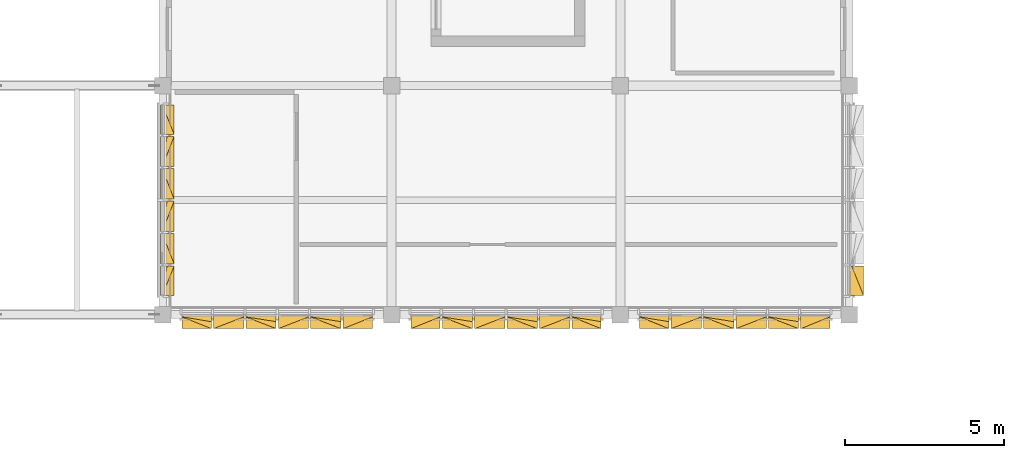
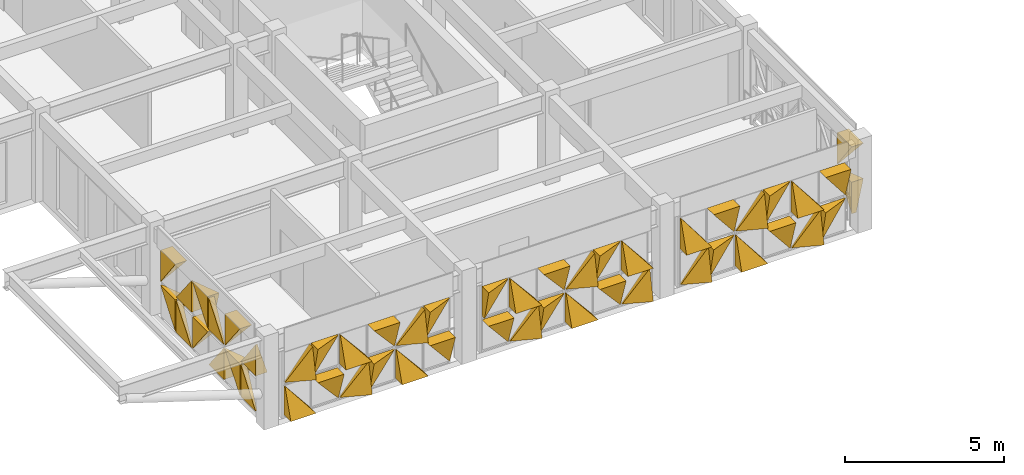
# One storey, part 42 of 48: 50 coverings.
"""IFC4 building model written with IfcOpenShell, lengths in metres."""

from ifc_helpers import new_model, si_unit, direction, frame, origin, place, context, subcontext, project, spatial, polygons, material, layer, layer_set, type_object, element, save


model = new_model("IFC4")

# Units and contexts
model_context = context("Model", 3, precision=1e-05, world=origin(), true_north=direction((0.0, 1.0)))
body_context = subcontext(model_context, "Body", "Model", "MODEL_VIEW")
ifc_project = project(units=[si_unit("LENGTHUNIT", "METRE"), si_unit("AREAUNIT", "SQUARE_METRE"), si_unit("VOLUMEUNIT", "CUBIC_METRE"), si_unit("PLANEANGLEUNIT", "RADIAN"), si_unit("MASSUNIT", "GRAM", prefix="KILO")], contexts=[model_context])

# Site, building, storey
site_placement = place(None, origin())
site = spatial("IfcSite", under=ifc_project, at=site_placement, CompositionType="ELEMENT")
building_placement = place(site_placement, origin())
building = spatial("IfcBuilding", under=site, at=building_placement, Name="Alvorim Cloister Faculty of Sciences", CompositionType="ELEMENT")
storey_placement = place(building_placement, frame((0.0, 0.0, 19.35009765625)))
storey = spatial("IfcBuildingStorey", under=building, at=storey_placement, Name="L05", CompositionType="ELEMENT", Elevation=19.35009765625)

# Coverings
ifc_material = material(Name="Perforated Bronze Alloy Sheet", Category="metal")
ifc_layer = layer(ifc_material, 0.0380859375)
ifc_layer_set = layer_set([ifc_layer], Name="Perforated Bronze Alloy Sheet")
covering_type = type_object("IfcCoveringType", Name="COV-TRI-BRZ", PredefinedType="CLADDING", material=ifc_layer_set)
covering_1_placement = place(storey_placement, frame((7.155029296875, 7.804931640625, 0.139892578125), z_axis=(0.0, 0.0, 1.0), x_axis=(0.0, 1.0, 0.0)))
element("IfcCovering", 1, at=covering_1_placement, inside=storey, type_object=covering_type, Name="Diagonal Solid Metal Triangle TRI-BR", PredefinedType="CLADDING", context=body_context, shape_type="Tessellation", body=[
    polygons([(0.002, 0.0260009765625, 0.0), (0.922607421875, 0.0260009765625, 0.0), (0.922607421875, 0.0260009765625, 1.213087890625), (0.002, -0.03, 0.0), (0.922607421875, -0.4, 0.0), (0.922607421875, -0.18000000000000002, 1.213087890625)], [[[1, 3, 2]], [[4, 5, 6]], [[1, 2, 5, 4]], [[2, 3, 6, 5]], [[3, 1, 4, 6]]], closed=True),
])
covering_2_placement = place(storey_placement, frame((7.155029296875, 7.804931640625, 1.494873046875), z_axis=(0.0, 0.0, 1.0), x_axis=(0.0, 1.0, 0.0)))
element("IfcCovering", 2, at=covering_2_placement, inside=storey, type_object=covering_type, Name="Diagonal Solid Metal Triangle TRI-BL", PredefinedType="CLADDING", context=body_context, shape_type="Tessellation", body=[
    polygons([(0.0, 0.0260009765625, 0.0), (0.920607421875, 0.0260009765625, 0.0), (0.0, 0.0260009765625, 1.213087890625), (0.0, -0.4, 0.0), (0.920607421875, -0.4, 0.0), (0.0, -0.03, 1.213087890625)], [[[1, 3, 2]], [[4, 5, 6]], [[1, 2, 5, 4]], [[2, 3, 6, 5]], [[3, 1, 4, 6]]], closed=True),
])
covering_3_placement = place(storey_placement, frame((7.155029296875, 8.79248046875, 0.139892578125), z_axis=(0.0, 0.0, 1.0), x_axis=(0.0, 1.0, 0.0)))
element("IfcCovering", 3, at=covering_3_placement, inside=storey, type_object=covering_type, Name="Diagonal Solid Metal Triangle TRI-TL", PredefinedType="CLADDING", context=body_context, shape_type="Tessellation", body=[
    polygons([(0.953078125, 0.0260009765625, 1.215087890625), (0.0, 0.0260009765625, 1.215087890625), (0.0, 0.0260009765625, 0.002), (0.953078125, -0.03, 1.215087890625), (0.0, -0.4, 1.215087890625), (0.0, -0.13999999999999999, 0.002)], [[[1, 3, 2]], [[4, 5, 6]], [[1, 2, 5, 4]], [[2, 3, 6, 5]], [[3, 1, 4, 6]]], closed=True),
])
covering_4_placement = place(storey_placement, frame((7.155029296875, 8.79248046875, 1.494873046875), z_axis=(0.0, 0.0, 1.0), x_axis=(0.0, 1.0, 0.0)))
element("IfcCovering", 4, at=covering_4_placement, inside=storey, type_object=covering_type, Name="Diagonal Solid Metal Triangle TRI-TR", PredefinedType="CLADDING", context=body_context, shape_type="Tessellation", body=[
    polygons([(0.955078125, 0.0260009765625, 0.002), (0.955078125, 0.0260009765625, 1.215087890625), (0.002, 0.0260009765625, 1.215087890625), (0.955078125, -0.03, 0.002), (0.955078125, -0.4, 1.215087890625), (0.002, -0.4, 1.215087890625)], [[[1, 3, 2]], [[4, 5, 6]], [[1, 2, 5, 4]], [[2, 3, 6, 5]], [[3, 1, 4, 6]]], closed=True),
])
covering_5_placement = place(storey_placement, frame((7.155029296875, 9.8125, 0.139892578125), z_axis=(0.0, 0.0, 1.0), x_axis=(0.0, 1.0, 0.0)))
element("IfcCovering", 5, at=covering_5_placement, inside=storey, type_object=covering_type, Name="Diagonal Solid Metal Triangle TRI-BL", PredefinedType="CLADDING", context=body_context, shape_type="Tessellation", body=[
    polygons([(0.0, 0.0260009765625, 0.0), (0.953078125, 0.0260009765625, 0.0), (0.0, 0.0260009765625, 1.213087890625), (0.0, -0.4, 0.0), (0.953078125, -0.4, 0.0), (0.0, -0.03, 1.213087890625)], [[[1, 3, 2]], [[4, 5, 6]], [[1, 2, 5, 4]], [[2, 3, 6, 5]], [[3, 1, 4, 6]]], closed=True),
])
covering_6_placement = place(storey_placement, frame((7.155029296875, 9.8125, 1.494873046875), z_axis=(0.0, 0.0, 1.0), x_axis=(0.0, 1.0, 0.0)))
element("IfcCovering", 6, at=covering_6_placement, inside=storey, type_object=covering_type, Name="Diagonal Solid Metal Triangle TRI-BR", PredefinedType="CLADDING", context=body_context, shape_type="Tessellation", body=[
    polygons([(0.002, 0.0260009765625, 0.0), (0.955078125, 0.0260009765625, 0.0), (0.955078125, 0.0260009765625, 1.213087890625), (0.002, -0.03, 0.0), (0.955078125, -0.4, 0.0), (0.955078125, -0.18000000000000002, 1.213087890625)], [[[1, 3, 2]], [[4, 5, 6]], [[1, 2, 5, 4]], [[2, 3, 6, 5]], [[3, 1, 4, 6]]], closed=True),
])
covering_7_placement = place(storey_placement, frame((7.155029296875, 10.83251953125, 0.139892578125), z_axis=(0.0, 0.0, 1.0), x_axis=(0.0, 1.0, 0.0)))
element("IfcCovering", 7, at=covering_7_placement, inside=storey, type_object=covering_type, Name="Diagonal Solid Metal Triangle TRI-TR", PredefinedType="CLADDING", context=body_context, shape_type="Tessellation", body=[
    polygons([(0.955078125, 0.0260009765625, 0.002), (0.955078125, 0.0260009765625, 1.215087890625), (0.002, 0.0260009765625, 1.215087890625), (0.955078125, -0.03, 0.002), (0.955078125, -0.4, 1.215087890625), (0.002, -0.4, 1.215087890625)], [[[1, 3, 2]], [[4, 5, 6]], [[1, 2, 5, 4]], [[2, 3, 6, 5]], [[3, 1, 4, 6]]], closed=True),
])
covering_8_placement = place(storey_placement, frame((7.155029296875, 10.83251953125, 1.494873046875), z_axis=(0.0, 0.0, 1.0), x_axis=(0.0, 1.0, 0.0)))
element("IfcCovering", 8, at=covering_8_placement, inside=storey, type_object=covering_type, Name="Diagonal Solid Metal Triangle TRI-TL", PredefinedType="CLADDING", context=body_context, shape_type="Tessellation", body=[
    polygons([(0.953078125, 0.0260009765625, 1.215087890625), (0.0, 0.0260009765625, 1.215087890625), (0.0, 0.0260009765625, 0.002), (0.953078125, -0.03, 1.215087890625), (0.0, -0.4, 1.215087890625), (0.0, -0.13999999999999999, 0.002)], [[[1, 3, 2]], [[4, 5, 6]], [[1, 2, 5, 4]], [[2, 3, 6, 5]], [[3, 1, 4, 6]]], closed=True),
])
covering_9_placement = place(storey_placement, frame((7.155029296875, 11.8525390625, 0.139892578125), z_axis=(0.0, 0.0, 1.0), x_axis=(0.0, 1.0, 0.0)))
element("IfcCovering", 9, at=covering_9_placement, inside=storey, type_object=covering_type, Name="Diagonal Solid Metal Triangle TRI-BR", PredefinedType="CLADDING", context=body_context, shape_type="Tessellation", body=[
    polygons([(0.002, 0.0260009765625, 0.0), (0.955078125, 0.0260009765625, 0.0), (0.955078125, 0.0260009765625, 1.213087890625), (0.002, -0.03, 0.0), (0.955078125, -0.4, 0.0), (0.955078125, -0.18000000000000002, 1.213087890625)], [[[1, 3, 2]], [[4, 5, 6]], [[1, 2, 5, 4]], [[2, 3, 6, 5]], [[3, 1, 4, 6]]], closed=True),
])
covering_10_placement = place(storey_placement, frame((7.155029296875, 11.8525390625, 1.494873046875), z_axis=(0.0, 0.0, 1.0), x_axis=(0.0, 1.0, 0.0)))
element("IfcCovering", 10, at=covering_10_placement, inside=storey, type_object=covering_type, Name="Diagonal Solid Metal Triangle TRI-BL", PredefinedType="CLADDING", context=body_context, shape_type="Tessellation", body=[
    polygons([(0.0, 0.0260009765625, 0.0), (0.953078125, 0.0260009765625, 0.0), (0.0, 0.0260009765625, 1.213087890625), (0.0, -0.4, 0.0), (0.953078125, -0.4, 0.0), (0.0, -0.03, 1.213087890625)], [[[1, 3, 2]], [[4, 5, 6]], [[1, 2, 5, 4]], [[2, 3, 6, 5]], [[3, 1, 4, 6]]], closed=True),
])
covering_11_placement = place(storey_placement, frame((7.155029296875, 12.87255859375, 0.139892578125), z_axis=(0.0, 0.0, 1.0), x_axis=(0.0, 1.0, 0.0)))
element("IfcCovering", 11, at=covering_11_placement, inside=storey, type_object=covering_type, Name="Diagonal Solid Metal Triangle TRI-TL", PredefinedType="CLADDING", context=body_context, shape_type="Tessellation", body=[
    polygons([(0.920607421875, 0.0260009765625, 1.215087890625), (0.0, 0.0260009765625, 1.215087890625), (0.0, 0.0260009765625, 0.002), (0.920607421875, -0.03, 1.215087890625), (0.0, -0.4, 1.215087890625), (0.0, -0.13999999999999999, 0.002)], [[[1, 3, 2]], [[4, 5, 6]], [[1, 2, 5, 4]], [[2, 3, 6, 5]], [[3, 1, 4, 6]]], closed=True),
])
covering_12_placement = place(storey_placement, frame((7.155029296875, 12.87255859375, 1.494873046875), z_axis=(0.0, 0.0, 1.0), x_axis=(0.0, 1.0, 0.0)))
element("IfcCovering", 12, at=covering_12_placement, inside=storey, type_object=covering_type, Name="Diagonal Solid Metal Triangle TRI-TR", PredefinedType="CLADDING", context=body_context, shape_type="Tessellation", body=[
    polygons([(0.922607421875, 0.0260009765625, 0.002), (0.922607421875, 0.0260009765625, 1.215087890625), (0.002, 0.0260009765625, 1.215087890625), (0.922607421875, -0.03, 0.002), (0.922607421875, -0.4, 1.215087890625), (0.002, -0.4, 1.215087890625)], [[[1, 3, 2]], [[4, 5, 6]], [[1, 2, 5, 4]], [[2, 3, 6, 5]], [[3, 1, 4, 6]]], closed=True),
])
covering_13_placement = place(storey_placement, frame((28.844970703125, 7.804931640625, 0.139892578125), z_axis=(0.0, 0.0, 1.0), x_axis=(0.0, 1.0, 0.0)))
element("IfcCovering", 13, at=covering_13_placement, inside=storey, type_object=covering_type, Name="Diagonal Solid Metal Triangle TRI-TL", PredefinedType="CLADDING", context=body_context, shape_type="Tessellation", body=[
    polygons([(0.920607421875, 0.0260009765625, 1.215087890625), (0.0, 0.0260009765625, 1.215087890625), (0.0, 0.0260009765625, 0.002), (0.920607421875, -0.03, 1.215087890625), (0.0, -0.4, 1.215087890625), (0.0, -0.13999999999999999, 0.002)], [[[1, 3, 2]], [[4, 5, 6]], [[1, 2, 5, 4]], [[2, 3, 6, 5]], [[3, 1, 4, 6]]], closed=True),
])
covering_14_placement = place(storey_placement, frame((28.844970703125, 7.804931640625, 1.494873046875), z_axis=(0.0, 0.0, 1.0), x_axis=(0.0, 1.0, 0.0)))
element("IfcCovering", 14, at=covering_14_placement, inside=storey, type_object=covering_type, Name="Diagonal Solid Metal Triangle TRI-TR", PredefinedType="CLADDING", context=body_context, shape_type="Tessellation", body=[
    polygons([(0.922607421875, 0.0260009765625, 0.002), (0.922607421875, 0.0260009765625, 1.215087890625), (0.002, 0.0260009765625, 1.215087890625), (0.922607421875, -0.03, 0.002), (0.922607421875, -0.4, 1.215087890625), (0.002, -0.4, 1.215087890625)], [[[1, 3, 2]], [[4, 5, 6]], [[1, 2, 5, 4]], [[2, 3, 6, 5]], [[3, 1, 4, 6]]], closed=True),
])
covering_15_placement = place(storey_placement, frame((22.205078125, 7.155029296875, 0.139892578125), z_axis=(0.0, 0.0, 1.0), x_axis=(1.0, 0.0, 0.0)))
element("IfcCovering", 15, at=covering_15_placement, inside=storey, type_object=covering_type, Name="Diagonal Solid Metal Triangle TRI-BR", PredefinedType="CLADDING", context=body_context, shape_type="Tessellation", body=[
    polygons([(0.002, 0.0260009765625, 0.0), (0.922607421875, 0.0260009765625, 0.0), (0.922607421875, 0.0260009765625, 1.213087890625), (0.002, -0.03, 0.0), (0.922607421875, -0.4, 0.0), (0.922607421875, -0.18000000000000002, 1.213087890625)], [[[1, 3, 2]], [[4, 5, 6]], [[1, 2, 5, 4]], [[2, 3, 6, 5]], [[3, 1, 4, 6]]], closed=True),
])
covering_16_placement = place(storey_placement, frame((22.205078125, 7.155029296875, 1.494873046875), z_axis=(0.0, 0.0, 1.0), x_axis=(1.0, 0.0, 0.0)))
element("IfcCovering", 16, at=covering_16_placement, inside=storey, type_object=covering_type, Name="Diagonal Solid Metal Triangle TRI-BL", PredefinedType="CLADDING", context=body_context, shape_type="Tessellation", body=[
    polygons([(0.0, 0.0260009765625, 0.0), (0.920607421875, 0.0260009765625, 0.0), (0.0, 0.0260009765625, 1.213087890625), (0.0, -0.4, 0.0), (0.920607421875, -0.4, 0.0), (0.0, -0.03, 1.213087890625)], [[[1, 3, 2]], [[4, 5, 6]], [[1, 2, 5, 4]], [[2, 3, 6, 5]], [[3, 1, 4, 6]]], closed=True),
])
covering_17_placement = place(storey_placement, frame((23.1923828125, 7.155029296875, 0.139892578125), z_axis=(0.0, 0.0, 1.0), x_axis=(1.0, 0.0, 0.0)))
element("IfcCovering", 17, at=covering_17_placement, inside=storey, type_object=covering_type, Name="Diagonal Solid Metal Triangle TRI-TL", PredefinedType="CLADDING", context=body_context, shape_type="Tessellation", body=[
    polygons([(0.953078125, 0.0260009765625, 1.215087890625), (0.0, 0.0260009765625, 1.215087890625), (0.0, 0.0260009765625, 0.002), (0.953078125, -0.03, 1.215087890625), (0.0, -0.4, 1.215087890625), (0.0, -0.13999999999999999, 0.002)], [[[1, 3, 2]], [[4, 5, 6]], [[1, 2, 5, 4]], [[2, 3, 6, 5]], [[3, 1, 4, 6]]], closed=True),
])
covering_18_placement = place(storey_placement, frame((23.1923828125, 7.155029296875, 1.494873046875), z_axis=(0.0, 0.0, 1.0), x_axis=(1.0, 0.0, 0.0)))
element("IfcCovering", 18, at=covering_18_placement, inside=storey, type_object=covering_type, Name="Diagonal Solid Metal Triangle TRI-TR", PredefinedType="CLADDING", context=body_context, shape_type="Tessellation", body=[
    polygons([(0.955078125, 0.0260009765625, 0.002), (0.955078125, 0.0260009765625, 1.215087890625), (0.002, 0.0260009765625, 1.215087890625), (0.955078125, -0.03, 0.002), (0.955078125, -0.4, 1.215087890625), (0.002, -0.4, 1.215087890625)], [[[1, 3, 2]], [[4, 5, 6]], [[1, 2, 5, 4]], [[2, 3, 6, 5]], [[3, 1, 4, 6]]], closed=True),
])
covering_19_placement = place(storey_placement, frame((24.21240234375, 7.155029296875, 0.139892578125), z_axis=(0.0, 0.0, 1.0), x_axis=(1.0, 0.0, 0.0)))
element("IfcCovering", 19, at=covering_19_placement, inside=storey, type_object=covering_type, Name="Diagonal Solid Metal Triangle TRI-BL", PredefinedType="CLADDING", context=body_context, shape_type="Tessellation", body=[
    polygons([(0.0, 0.0260009765625, 0.0), (0.953078125, 0.0260009765625, 0.0), (0.0, 0.0260009765625, 1.213087890625), (0.0, -0.4, 0.0), (0.953078125, -0.4, 0.0), (0.0, -0.03, 1.213087890625)], [[[1, 3, 2]], [[4, 5, 6]], [[1, 2, 5, 4]], [[2, 3, 6, 5]], [[3, 1, 4, 6]]], closed=True),
])
covering_20_placement = place(storey_placement, frame((24.21240234375, 7.155029296875, 1.494873046875), z_axis=(0.0, 0.0, 1.0), x_axis=(1.0, 0.0, 0.0)))
element("IfcCovering", 20, at=covering_20_placement, inside=storey, type_object=covering_type, Name="Diagonal Solid Metal Triangle TRI-BR", PredefinedType="CLADDING", context=body_context, shape_type="Tessellation", body=[
    polygons([(0.002, 0.0260009765625, 0.0), (0.955078125, 0.0260009765625, 0.0), (0.955078125, 0.0260009765625, 1.213087890625), (0.002, -0.03, 0.0), (0.955078125, -0.4, 0.0), (0.955078125, -0.18000000000000002, 1.213087890625)], [[[1, 3, 2]], [[4, 5, 6]], [[1, 2, 5, 4]], [[2, 3, 6, 5]], [[3, 1, 4, 6]]], closed=True),
])
covering_21_placement = place(storey_placement, frame((25.232421875, 7.155029296875, 0.139892578125), z_axis=(0.0, 0.0, 1.0), x_axis=(1.0, 0.0, 0.0)))
element("IfcCovering", 21, at=covering_21_placement, inside=storey, type_object=covering_type, Name="Diagonal Solid Metal Triangle TRI-TR", PredefinedType="CLADDING", context=body_context, shape_type="Tessellation", body=[
    polygons([(0.955078125, 0.0260009765625, 0.002), (0.955078125, 0.0260009765625, 1.215087890625), (0.002, 0.0260009765625, 1.215087890625), (0.955078125, -0.03, 0.002), (0.955078125, -0.4, 1.215087890625), (0.002, -0.4, 1.215087890625)], [[[1, 3, 2]], [[4, 5, 6]], [[1, 2, 5, 4]], [[2, 3, 6, 5]], [[3, 1, 4, 6]]], closed=True),
])
covering_22_placement = place(storey_placement, frame((25.232421875, 7.155029296875, 1.494873046875), z_axis=(0.0, 0.0, 1.0), x_axis=(1.0, 0.0, 0.0)))
element("IfcCovering", 22, at=covering_22_placement, inside=storey, type_object=covering_type, Name="Diagonal Solid Metal Triangle TRI-TL", PredefinedType="CLADDING", context=body_context, shape_type="Tessellation", body=[
    polygons([(0.953078125, 0.0260009765625, 1.215087890625), (0.0, 0.0260009765625, 1.215087890625), (0.0, 0.0260009765625, 0.002), (0.953078125, -0.03, 1.215087890625), (0.0, -0.4, 1.215087890625), (0.0, -0.13999999999999999, 0.002)], [[[1, 3, 2]], [[4, 5, 6]], [[1, 2, 5, 4]], [[2, 3, 6, 5]], [[3, 1, 4, 6]]], closed=True),
])
covering_23_placement = place(storey_placement, frame((26.25244140625, 7.155029296875, 0.139892578125), z_axis=(0.0, 0.0, 1.0), x_axis=(1.0, 0.0, 0.0)))
element("IfcCovering", 23, at=covering_23_placement, inside=storey, type_object=covering_type, Name="Diagonal Solid Metal Triangle TRI-BR", PredefinedType="CLADDING", context=body_context, shape_type="Tessellation", body=[
    polygons([(0.002, 0.0260009765625, 0.0), (0.955078125, 0.0260009765625, 0.0), (0.955078125, 0.0260009765625, 1.213087890625), (0.002, -0.03, 0.0), (0.955078125, -0.4, 0.0), (0.955078125, -0.18000000000000002, 1.213087890625)], [[[1, 3, 2]], [[4, 5, 6]], [[1, 2, 5, 4]], [[2, 3, 6, 5]], [[3, 1, 4, 6]]], closed=True),
])
covering_24_placement = place(storey_placement, frame((26.25244140625, 7.155029296875, 1.494873046875), z_axis=(0.0, 0.0, 1.0), x_axis=(1.0, 0.0, 0.0)))
element("IfcCovering", 24, at=covering_24_placement, inside=storey, type_object=covering_type, Name="Diagonal Solid Metal Triangle TRI-BL", PredefinedType="CLADDING", context=body_context, shape_type="Tessellation", body=[
    polygons([(0.0, 0.0260009765625, 0.0), (0.953078125, 0.0260009765625, 0.0), (0.0, 0.0260009765625, 1.213087890625), (0.0, -0.4, 0.0), (0.953078125, -0.4, 0.0), (0.0, -0.03, 1.213087890625)], [[[1, 3, 2]], [[4, 5, 6]], [[1, 2, 5, 4]], [[2, 3, 6, 5]], [[3, 1, 4, 6]]], closed=True),
])
covering_25_placement = place(storey_placement, frame((27.2724609375, 7.155029296875, 0.139892578125), z_axis=(0.0, 0.0, 1.0), x_axis=(1.0, 0.0, 0.0)))
element("IfcCovering", 25, at=covering_25_placement, inside=storey, type_object=covering_type, Name="Diagonal Solid Metal Triangle TRI-TL", PredefinedType="CLADDING", context=body_context, shape_type="Tessellation", body=[
    polygons([(0.920607421875, 0.0260009765625, 1.215087890625), (0.0, 0.0260009765625, 1.215087890625), (0.0, 0.0260009765625, 0.002), (0.920607421875, -0.03, 1.215087890625), (0.0, -0.4, 1.215087890625), (0.0, -0.13999999999999999, 0.002)], [[[1, 3, 2]], [[4, 5, 6]], [[1, 2, 5, 4]], [[2, 3, 6, 5]], [[3, 1, 4, 6]]], closed=True),
])
covering_26_placement = place(storey_placement, frame((27.2724609375, 7.155029296875, 1.494873046875), z_axis=(0.0, 0.0, 1.0), x_axis=(1.0, 0.0, 0.0)))
element("IfcCovering", 26, at=covering_26_placement, inside=storey, type_object=covering_type, Name="Diagonal Solid Metal Triangle TRI-TR", PredefinedType="CLADDING", context=body_context, shape_type="Tessellation", body=[
    polygons([(0.922607421875, 0.0260009765625, 0.002), (0.922607421875, 0.0260009765625, 1.215087890625), (0.002, 0.0260009765625, 1.215087890625), (0.922607421875, -0.03, 0.002), (0.922607421875, -0.4, 1.215087890625), (0.002, -0.4, 1.215087890625)], [[[1, 3, 2]], [[4, 5, 6]], [[1, 2, 5, 4]], [[2, 3, 6, 5]], [[3, 1, 4, 6]]], closed=True),
])
covering_27_placement = place(storey_placement, frame((15.0048828125, 7.155029296875, 0.139892578125), z_axis=(0.0, 0.0, 1.0), x_axis=(1.0, 0.0, 0.0)))
element("IfcCovering", 27, at=covering_27_placement, inside=storey, type_object=covering_type, Name="Diagonal Solid Metal Triangle TRI-TR", PredefinedType="CLADDING", context=body_context, shape_type="Tessellation", body=[
    polygons([(0.922607421875, 0.0260009765625, 0.002), (0.922607421875, 0.0260009765625, 1.14306640625), (0.002, 0.0260009765625, 1.14306640625), (0.922607421875, -0.03, 0.002), (0.922607421875, -0.4, 1.14306640625), (0.002, -0.4, 1.14306640625)], [[[1, 3, 2]], [[4, 5, 6]], [[1, 2, 5, 4]], [[2, 3, 6, 5]], [[3, 1, 4, 6]]], closed=True),
])
covering_28_placement = place(storey_placement, frame((15.0048828125, 7.155029296875, 1.4228515625), z_axis=(0.0, 0.0, 1.0), x_axis=(1.0, 0.0, 0.0)))
element("IfcCovering", 28, at=covering_28_placement, inside=storey, type_object=covering_type, Name="Diagonal Solid Metal Triangle TRI-TL", PredefinedType="CLADDING", context=body_context, shape_type="Tessellation", body=[
    polygons([(0.920607421875, 0.0260009765625, 1.14306640625), (0.0, 0.0260009765625, 1.14306640625), (0.0, 0.0260009765625, 0.002), (0.920607421875, -0.03, 1.14306640625), (0.0, -0.4, 1.14306640625), (0.0, -0.13999999999999999, 0.002)], [[[1, 3, 2]], [[4, 5, 6]], [[1, 2, 5, 4]], [[2, 3, 6, 5]], [[3, 1, 4, 6]]], closed=True),
])
covering_29_placement = place(storey_placement, frame((15.992431640625, 7.155029296875, 0.139892578125), z_axis=(0.0, 0.0, 1.0), x_axis=(1.0, 0.0, 0.0)))
element("IfcCovering", 29, at=covering_29_placement, inside=storey, type_object=covering_type, Name="Diagonal Solid Metal Triangle TRI-BR", PredefinedType="CLADDING", context=body_context, shape_type="Tessellation", body=[
    polygons([(0.002, 0.0260009765625, 0.0), (0.955078125, 0.0260009765625, 0.0), (0.955078125, 0.0260009765625, 1.14106640625), (0.002, -0.03, 0.0), (0.955078125, -0.4, 0.0), (0.955078125, -0.18000000000000002, 1.14106640625)], [[[1, 3, 2]], [[4, 5, 6]], [[1, 2, 5, 4]], [[2, 3, 6, 5]], [[3, 1, 4, 6]]], closed=True),
])
covering_30_placement = place(storey_placement, frame((15.992431640625, 7.155029296875, 1.4228515625), z_axis=(0.0, 0.0, 1.0), x_axis=(1.0, 0.0, 0.0)))
element("IfcCovering", 30, at=covering_30_placement, inside=storey, type_object=covering_type, Name="Diagonal Solid Metal Triangle TRI-BL", PredefinedType="CLADDING", context=body_context, shape_type="Tessellation", body=[
    polygons([(0.0, 0.0260009765625, 0.0), (0.953078125, 0.0260009765625, 0.0), (0.0, 0.0260009765625, 1.14106640625), (0.0, -0.4, 0.0), (0.953078125, -0.4, 0.0), (0.0, -0.03, 1.14106640625)], [[[1, 3, 2]], [[4, 5, 6]], [[1, 2, 5, 4]], [[2, 3, 6, 5]], [[3, 1, 4, 6]]], closed=True),
])
covering_31_placement = place(storey_placement, frame((17.012451171875, 7.155029296875, 0.139892578125), z_axis=(0.0, 0.0, 1.0), x_axis=(1.0, 0.0, 0.0)))
element("IfcCovering", 31, at=covering_31_placement, inside=storey, type_object=covering_type, Name="Diagonal Solid Metal Triangle TRI-TL", PredefinedType="CLADDING", context=body_context, shape_type="Tessellation", body=[
    polygons([(0.953078125, 0.0260009765625, 1.14306640625), (0.0, 0.0260009765625, 1.14306640625), (0.0, 0.0260009765625, 0.002), (0.953078125, -0.03, 1.14306640625), (0.0, -0.4, 1.14306640625), (0.0, -0.13999999999999999, 0.002)], [[[1, 3, 2]], [[4, 5, 6]], [[1, 2, 5, 4]], [[2, 3, 6, 5]], [[3, 1, 4, 6]]], closed=True),
])
covering_32_placement = place(storey_placement, frame((17.012451171875, 7.155029296875, 1.4228515625), z_axis=(0.0, 0.0, 1.0), x_axis=(1.0, 0.0, 0.0)))
element("IfcCovering", 32, at=covering_32_placement, inside=storey, type_object=covering_type, Name="Diagonal Solid Metal Triangle TRI-TR", PredefinedType="CLADDING", context=body_context, shape_type="Tessellation", body=[
    polygons([(0.955078125, 0.0260009765625, 0.002), (0.955078125, 0.0260009765625, 1.14306640625), (0.002, 0.0260009765625, 1.14306640625), (0.955078125, -0.03, 0.002), (0.955078125, -0.4, 1.14306640625), (0.002, -0.4, 1.14306640625)], [[[1, 3, 2]], [[4, 5, 6]], [[1, 2, 5, 4]], [[2, 3, 6, 5]], [[3, 1, 4, 6]]], closed=True),
])
covering_33_placement = place(storey_placement, frame((18.032470703125, 7.155029296875, 0.139892578125), z_axis=(0.0, 0.0, 1.0), x_axis=(1.0, 0.0, 0.0)))
element("IfcCovering", 33, at=covering_33_placement, inside=storey, type_object=covering_type, Name="Diagonal Solid Metal Triangle TRI-BL", PredefinedType="CLADDING", context=body_context, shape_type="Tessellation", body=[
    polygons([(0.0, 0.0260009765625, 0.0), (0.953078125, 0.0260009765625, 0.0), (0.0, 0.0260009765625, 1.14106640625), (0.0, -0.4, 0.0), (0.953078125, -0.4, 0.0), (0.0, -0.03, 1.14106640625)], [[[1, 3, 2]], [[4, 5, 6]], [[1, 2, 5, 4]], [[2, 3, 6, 5]], [[3, 1, 4, 6]]], closed=True),
])
covering_34_placement = place(storey_placement, frame((18.032470703125, 7.155029296875, 1.4228515625), z_axis=(0.0, 0.0, 1.0), x_axis=(1.0, 0.0, 0.0)))
element("IfcCovering", 34, at=covering_34_placement, inside=storey, type_object=covering_type, Name="Diagonal Solid Metal Triangle TRI-BR", PredefinedType="CLADDING", context=body_context, shape_type="Tessellation", body=[
    polygons([(0.002, 0.0260009765625, 0.0), (0.955078125, 0.0260009765625, 0.0), (0.955078125, 0.0260009765625, 1.14106640625), (0.002, -0.03, 0.0), (0.955078125, -0.4, 0.0), (0.955078125, -0.18000000000000002, 1.14106640625)], [[[1, 3, 2]], [[4, 5, 6]], [[1, 2, 5, 4]], [[2, 3, 6, 5]], [[3, 1, 4, 6]]], closed=True),
])
covering_35_placement = place(storey_placement, frame((19.052490234375, 7.155029296875, 0.139892578125), z_axis=(0.0, 0.0, 1.0), x_axis=(1.0, 0.0, 0.0)))
element("IfcCovering", 35, at=covering_35_placement, inside=storey, type_object=covering_type, Name="Diagonal Solid Metal Triangle TRI-TR", PredefinedType="CLADDING", context=body_context, shape_type="Tessellation", body=[
    polygons([(0.955078125, 0.0260009765625, 0.002), (0.955078125, 0.0260009765625, 1.14306640625), (0.002, 0.0260009765625, 1.14306640625), (0.955078125, -0.03, 0.002), (0.955078125, -0.4, 1.14306640625), (0.002, -0.4, 1.14306640625)], [[[1, 3, 2]], [[4, 5, 6]], [[1, 2, 5, 4]], [[2, 3, 6, 5]], [[3, 1, 4, 6]]], closed=True),
])
covering_36_placement = place(storey_placement, frame((19.052490234375, 7.155029296875, 1.4228515625), z_axis=(0.0, 0.0, 1.0), x_axis=(1.0, 0.0, 0.0)))
element("IfcCovering", 36, at=covering_36_placement, inside=storey, type_object=covering_type, Name="Diagonal Solid Metal Triangle TRI-TL", PredefinedType="CLADDING", context=body_context, shape_type="Tessellation", body=[
    polygons([(0.953078125, 0.0260009765625, 1.14306640625), (0.0, 0.0260009765625, 1.14306640625), (0.0, 0.0260009765625, 0.002), (0.953078125, -0.03, 1.14306640625), (0.0, -0.4, 1.14306640625), (0.0, -0.13999999999999999, 0.002)], [[[1, 3, 2]], [[4, 5, 6]], [[1, 2, 5, 4]], [[2, 3, 6, 5]], [[3, 1, 4, 6]]], closed=True),
])
covering_37_placement = place(storey_placement, frame((20.072509765625, 7.155029296875, 0.139892578125), z_axis=(0.0, 0.0, 1.0), x_axis=(1.0, 0.0, 0.0)))
element("IfcCovering", 37, at=covering_37_placement, inside=storey, type_object=covering_type, Name="Diagonal Solid Metal Triangle TRI-BR", PredefinedType="CLADDING", context=body_context, shape_type="Tessellation", body=[
    polygons([(0.002, 0.0260009765625, 0.0), (0.922607421875, 0.0260009765625, 0.0), (0.922607421875, 0.0260009765625, 1.14106640625), (0.002, -0.03, 0.0), (0.922607421875, -0.4, 0.0), (0.922607421875, -0.18000000000000002, 1.14106640625)], [[[1, 3, 2]], [[4, 5, 6]], [[1, 2, 5, 4]], [[2, 3, 6, 5]], [[3, 1, 4, 6]]], closed=True),
])
for number, where, z_axis, x_axis, name in (
    (38, (20.072509765625, 7.155029296875, 1.4228515625), (0.0, 0.0, 1.0), (1.0, 0.0, 0.0), "Diagonal Solid Metal Triangle TRI-BL"),
    (39, (7.804931640625, 7.155029296875, 0.139892578125), (0.0, 0.0, 1.0), (1.0, 0.0, 0.0), "Diagonal Solid Metal Triangle TRI-BL"),
):
    element("IfcCovering", number, at=place(storey_placement, frame(where, z_axis=z_axis, x_axis=x_axis)), inside=storey, type_object=covering_type, Name=name, PredefinedType="CLADDING", context=body_context, shape_type="Tessellation", body=[
        polygons([(0.0, 0.0260009765625, 0.0), (0.920607421875, 0.0260009765625, 0.0), (0.0, 0.0260009765625, 1.14106640625), (0.0, -0.4, 0.0), (0.920607421875, -0.4, 0.0), (0.0, -0.03, 1.14106640625)], [[[1, 3, 2]], [[4, 5, 6]], [[1, 2, 5, 4]], [[2, 3, 6, 5]], [[3, 1, 4, 6]]], closed=True),
    ])
covering_38_placement = place(storey_placement, frame((7.804931640625, 7.155029296875, 1.4228515625), z_axis=(0.0, 0.0, 1.0), x_axis=(1.0, 0.0, 0.0)))
element("IfcCovering", 40, at=covering_38_placement, inside=storey, type_object=covering_type, Name="Diagonal Solid Metal Triangle TRI-BR", PredefinedType="CLADDING", context=body_context, shape_type="Tessellation", body=[
    polygons([(0.002, 0.0260009765625, 0.0), (0.922607421875, 0.0260009765625, 0.0), (0.922607421875, 0.0260009765625, 1.14106640625), (0.002, -0.03, 0.0), (0.922607421875, -0.4, 0.0), (0.922607421875, -0.18000000000000002, 1.14106640625)], [[[1, 3, 2]], [[4, 5, 6]], [[1, 2, 5, 4]], [[2, 3, 6, 5]], [[3, 1, 4, 6]]], closed=True),
])
covering_39_placement = place(storey_placement, frame((8.79248046875, 7.155029296875, 0.139892578125), z_axis=(0.0, 0.0, 1.0), x_axis=(1.0, 0.0, 0.0)))
element("IfcCovering", 41, at=covering_39_placement, inside=storey, type_object=covering_type, Name="Diagonal Solid Metal Triangle TRI-TR", PredefinedType="CLADDING", context=body_context, shape_type="Tessellation", body=[
    polygons([(0.955078125, 0.0260009765625, 0.002), (0.955078125, 0.0260009765625, 1.14306640625), (0.002, 0.0260009765625, 1.14306640625), (0.955078125, -0.03, 0.002), (0.955078125, -0.4, 1.14306640625), (0.002, -0.4, 1.14306640625)], [[[1, 3, 2]], [[4, 5, 6]], [[1, 2, 5, 4]], [[2, 3, 6, 5]], [[3, 1, 4, 6]]], closed=True),
])
covering_40_placement = place(storey_placement, frame((8.79248046875, 7.155029296875, 1.4228515625), z_axis=(0.0, 0.0, 1.0), x_axis=(1.0, 0.0, 0.0)))
element("IfcCovering", 42, at=covering_40_placement, inside=storey, type_object=covering_type, Name="Diagonal Solid Metal Triangle TRI-TL", PredefinedType="CLADDING", context=body_context, shape_type="Tessellation", body=[
    polygons([(0.953078125, 0.0260009765625, 1.14306640625), (0.0, 0.0260009765625, 1.14306640625), (0.0, 0.0260009765625, 0.002), (0.953078125, -0.03, 1.14306640625), (0.0, -0.4, 1.14306640625), (0.0, -0.13999999999999999, 0.002)], [[[1, 3, 2]], [[4, 5, 6]], [[1, 2, 5, 4]], [[2, 3, 6, 5]], [[3, 1, 4, 6]]], closed=True),
])
covering_41_placement = place(storey_placement, frame((9.8125, 7.155029296875, 0.139892578125), z_axis=(0.0, 0.0, 1.0), x_axis=(1.0, 0.0, 0.0)))
element("IfcCovering", 43, at=covering_41_placement, inside=storey, type_object=covering_type, Name="Diagonal Solid Metal Triangle TRI-BR", PredefinedType="CLADDING", context=body_context, shape_type="Tessellation", body=[
    polygons([(0.002, 0.0260009765625, 0.0), (0.955078125, 0.0260009765625, 0.0), (0.955078125, 0.0260009765625, 1.14106640625), (0.002, -0.03, 0.0), (0.955078125, -0.4, 0.0), (0.955078125, -0.18000000000000002, 1.14106640625)], [[[1, 3, 2]], [[4, 5, 6]], [[1, 2, 5, 4]], [[2, 3, 6, 5]], [[3, 1, 4, 6]]], closed=True),
])
covering_42_placement = place(storey_placement, frame((9.8125, 7.155029296875, 1.4228515625), z_axis=(0.0, 0.0, 1.0), x_axis=(1.0, 0.0, 0.0)))
element("IfcCovering", 44, at=covering_42_placement, inside=storey, type_object=covering_type, Name="Diagonal Solid Metal Triangle TRI-BL", PredefinedType="CLADDING", context=body_context, shape_type="Tessellation", body=[
    polygons([(0.0, 0.0260009765625, 0.0), (0.953078125, 0.0260009765625, 0.0), (0.0, 0.0260009765625, 1.14106640625), (0.0, -0.4, 0.0), (0.953078125, -0.4, 0.0), (0.0, -0.03, 1.14106640625)], [[[1, 3, 2]], [[4, 5, 6]], [[1, 2, 5, 4]], [[2, 3, 6, 5]], [[3, 1, 4, 6]]], closed=True),
])
covering_43_placement = place(storey_placement, frame((10.83251953125, 7.155029296875, 0.139892578125), z_axis=(0.0, 0.0, 1.0), x_axis=(1.0, 0.0, 0.0)))
element("IfcCovering", 45, at=covering_43_placement, inside=storey, type_object=covering_type, Name="Diagonal Solid Metal Triangle TRI-TL", PredefinedType="CLADDING", context=body_context, shape_type="Tessellation", body=[
    polygons([(0.953078125, 0.0260009765625, 1.14306640625), (0.0, 0.0260009765625, 1.14306640625), (0.0, 0.0260009765625, 0.002), (0.953078125, -0.03, 1.14306640625), (0.0, -0.4, 1.14306640625), (0.0, -0.13999999999999999, 0.002)], [[[1, 3, 2]], [[4, 5, 6]], [[1, 2, 5, 4]], [[2, 3, 6, 5]], [[3, 1, 4, 6]]], closed=True),
])
covering_44_placement = place(storey_placement, frame((10.83251953125, 7.155029296875, 1.4228515625), z_axis=(0.0, 0.0, 1.0), x_axis=(1.0, 0.0, 0.0)))
element("IfcCovering", 46, at=covering_44_placement, inside=storey, type_object=covering_type, Name="Diagonal Solid Metal Triangle TRI-TR", PredefinedType="CLADDING", context=body_context, shape_type="Tessellation", body=[
    polygons([(0.955078125, 0.0260009765625, 0.002), (0.955078125, 0.0260009765625, 1.14306640625), (0.002, 0.0260009765625, 1.14306640625), (0.955078125, -0.03, 0.002), (0.955078125, -0.4, 1.14306640625), (0.002, -0.4, 1.14306640625)], [[[1, 3, 2]], [[4, 5, 6]], [[1, 2, 5, 4]], [[2, 3, 6, 5]], [[3, 1, 4, 6]]], closed=True),
])
covering_45_placement = place(storey_placement, frame((11.8525390625, 7.155029296875, 0.139892578125), z_axis=(0.0, 0.0, 1.0), x_axis=(1.0, 0.0, 0.0)))
element("IfcCovering", 47, at=covering_45_placement, inside=storey, type_object=covering_type, Name="Diagonal Solid Metal Triangle TRI-BL", PredefinedType="CLADDING", context=body_context, shape_type="Tessellation", body=[
    polygons([(0.0, 0.0260009765625, 0.0), (0.953078125, 0.0260009765625, 0.0), (0.0, 0.0260009765625, 1.14106640625), (0.0, -0.4, 0.0), (0.953078125, -0.4, 0.0), (0.0, -0.03, 1.14106640625)], [[[1, 3, 2]], [[4, 5, 6]], [[1, 2, 5, 4]], [[2, 3, 6, 5]], [[3, 1, 4, 6]]], closed=True),
])
covering_46_placement = place(storey_placement, frame((11.8525390625, 7.155029296875, 1.4228515625), z_axis=(0.0, 0.0, 1.0), x_axis=(1.0, 0.0, 0.0)))
element("IfcCovering", 48, at=covering_46_placement, inside=storey, type_object=covering_type, Name="Diagonal Solid Metal Triangle TRI-BR", PredefinedType="CLADDING", context=body_context, shape_type="Tessellation", body=[
    polygons([(0.002, 0.0260009765625, 0.0), (0.955078125, 0.0260009765625, 0.0), (0.955078125, 0.0260009765625, 1.14106640625), (0.002, -0.03, 0.0), (0.955078125, -0.4, 0.0), (0.955078125, -0.18000000000000002, 1.14106640625)], [[[1, 3, 2]], [[4, 5, 6]], [[1, 2, 5, 4]], [[2, 3, 6, 5]], [[3, 1, 4, 6]]], closed=True),
])
covering_47_placement = place(storey_placement, frame((12.87255859375, 7.155029296875, 0.139892578125), z_axis=(0.0, 0.0, 1.0), x_axis=(1.0, 0.0, 0.0)))
element("IfcCovering", 49, at=covering_47_placement, inside=storey, type_object=covering_type, Name="Diagonal Solid Metal Triangle TRI-TR", PredefinedType="CLADDING", context=body_context, shape_type="Tessellation", body=[
    polygons([(0.922607421875, 0.0260009765625, 0.002), (0.922607421875, 0.0260009765625, 1.14306640625), (0.002, 0.0260009765625, 1.14306640625), (0.922607421875, -0.03, 0.002), (0.922607421875, -0.4, 1.14306640625), (0.002, -0.4, 1.14306640625)], [[[1, 3, 2]], [[4, 5, 6]], [[1, 2, 5, 4]], [[2, 3, 6, 5]], [[3, 1, 4, 6]]], closed=True),
])
covering_48_placement = place(storey_placement, frame((12.87255859375, 7.155029296875, 1.4228515625), z_axis=(0.0, 0.0, 1.0), x_axis=(1.0, 0.0, 0.0)))
element("IfcCovering", 50, at=covering_48_placement, inside=storey, type_object=covering_type, Name="Diagonal Solid Metal Triangle TRI-TL", PredefinedType="CLADDING", context=body_context, shape_type="Tessellation", body=[
    polygons([(0.920607421875, 0.0260009765625, 1.14306640625), (0.0, 0.0260009765625, 1.14306640625), (0.0, 0.0260009765625, 0.002), (0.920607421875, -0.03, 1.14306640625), (0.0, -0.4, 1.14306640625), (0.0, -0.13999999999999999, 0.002)], [[[1, 3, 2]], [[4, 5, 6]], [[1, 2, 5, 4]], [[2, 3, 6, 5]], [[3, 1, 4, 6]]], closed=True),
])

save(model, "model.ifc")
